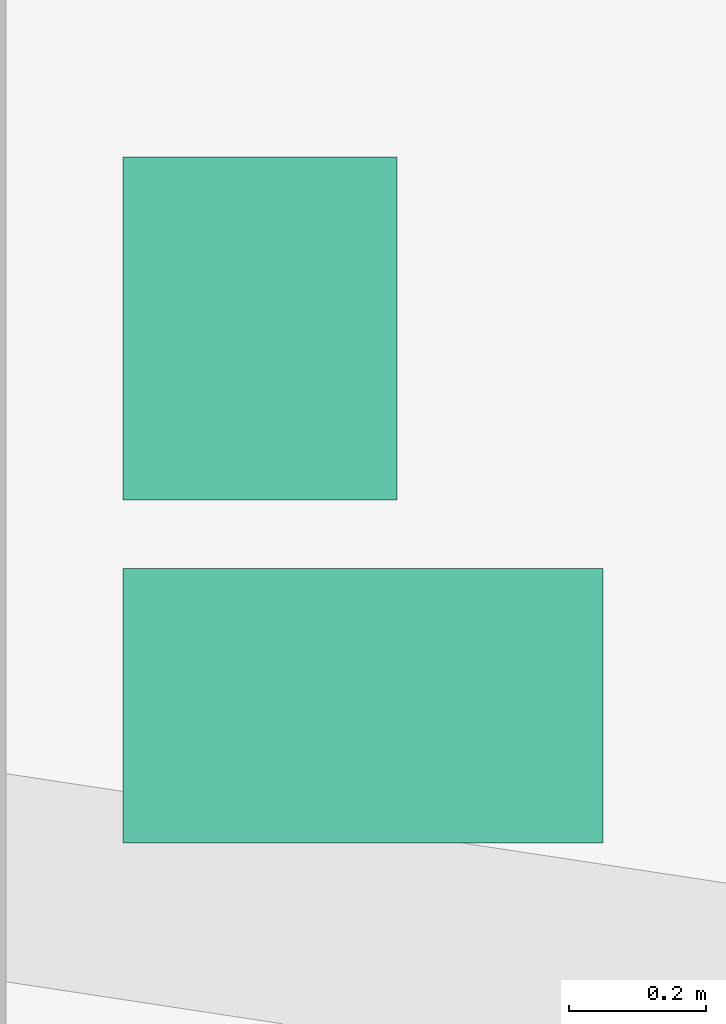
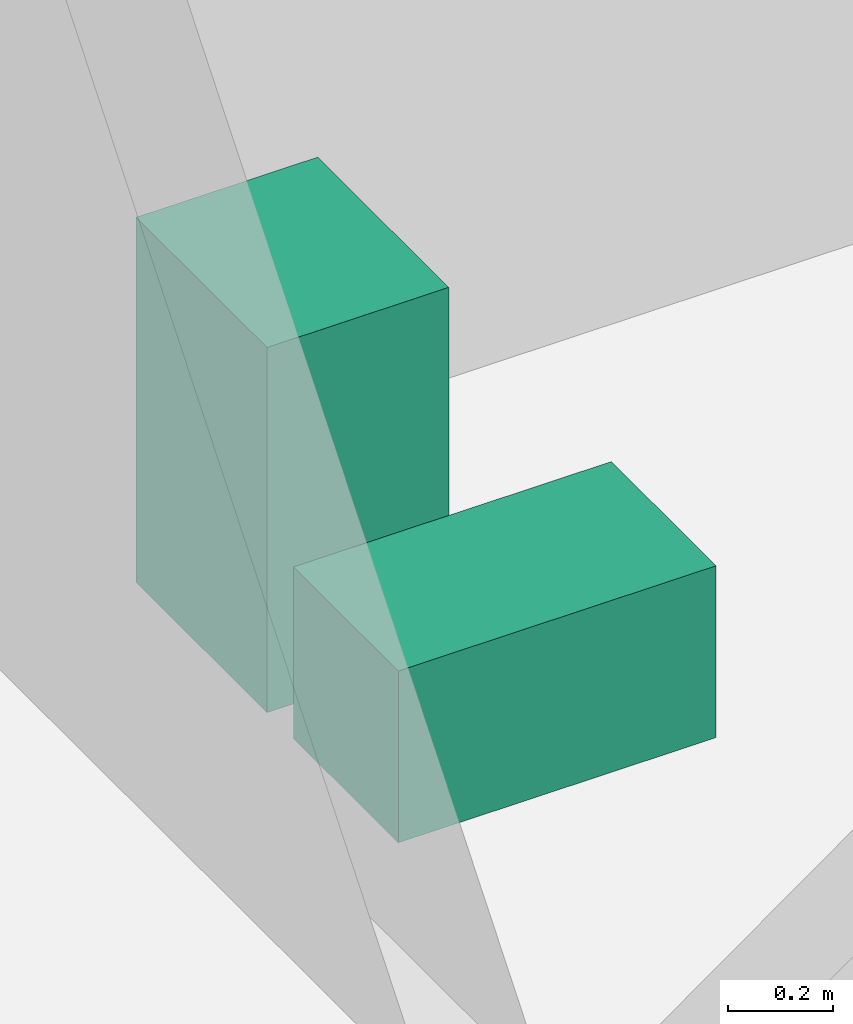
# One storey, part 13 of 13: 2 sanitary terminals.
"""IFC4 building model written with IfcOpenShell, lengths in metres."""

import ifcopenshell
import ifcopenshell.guid

model = None  # the IFC model being written
_history = None  # IfcOwnerHistory: only IFC2X3 demands one
_inside = {}  # id of a spatial element -> (the spatial element, [elements in it])
_under = {}  # id of a project, library or spatial element -> (it, [spatial elements below it])
_declared = {}  # id of a project -> (the project, [libraries it declares])
_typed = {}  # id of a type object -> (the type object, [elements of that type])
_made_of = {}  # id of a material, layer set ... -> (it, [elements and type objects made of it])


def new_model(schema):
    """Start an empty IFC model of exactly this schema.

    Asked for "IFC4X3", IfcOpenShell would pick the latest addendum, in which some entities
    have other attributes; the version numbers below select the first issue.
    IFC2X3 requires an IfcOwnerHistory on every rooted entity: one is made here for all.
    """
    global model, _history
    if schema == "IFC4X3":
        model = ifcopenshell.file(schema_version=(4, 3, 0, 0))
    else:
        model = ifcopenshell.file(schema=schema)
    _inside.clear()
    _under.clear()
    _declared.clear()
    _typed.clear()
    _made_of.clear()
    _history = None
    if model.schema == "IFC2X3":
        org = make("IfcOrganization", Name="unknown")
        user = make(
            "IfcPersonAndOrganization",
            ThePerson=make("IfcPerson", FamilyName="unknown"),
            TheOrganization=org,
        )
        app = make(
            "IfcApplication",
            ApplicationDeveloper=org,
            Version="unknown",
            ApplicationFullName="unknown",
            ApplicationIdentifier="unknown",
        )
        _history = make(
            "IfcOwnerHistory",
            OwningUser=user,
            OwningApplication=app,
            ChangeAction="ADDED",
            CreationDate=0,
        )
    return model


def make(cls, **values):
    """One entity of the class cls with the attributes given. An attribute that is None is left unset."""
    return model.create_entity(
        cls, **{name: value for name, value in values.items() if value is not None}
    )


def rooted(cls, **values):
    """An entity with a GlobalId (a new one), such as an element, a storey or a relation."""
    return make(cls, GlobalId=ifcopenshell.guid.new(), OwnerHistory=_history, **values)


def si_unit(unit_type, name, prefix=None):
    """IfcSIUnit, for example si_unit("LENGTHUNIT", "METRE", prefix="MILLI")."""
    return make("IfcSIUnit", UnitType=unit_type, Prefix=prefix, Name=name)


def assignment(units):
    """IfcUnitAssignment: the units of a project."""
    return None if units is None else make("IfcUnitAssignment", Units=units)


def point(xyz):
    """IfcCartesianPoint."""
    return None if xyz is None else make("IfcCartesianPoint", Coordinates=xyz)


def direction(xyz):
    """IfcDirection."""
    return None if xyz is None else make("IfcDirection", DirectionRatios=xyz)


def frame(location, z_axis=None, x_axis=None):
    """IfcAxis2Placement3D, a coordinate frame: its origin and axes. An axis left out is left unset."""
    return make(
        "IfcAxis2Placement3D",
        Location=point(location),
        Axis=direction(z_axis),
        RefDirection=direction(x_axis),
    )


def frame_2d(location, x_axis=None):
    """IfcAxis2Placement2D, a coordinate frame in the plane: its origin and x axis."""
    return make(
        "IfcAxis2Placement2D", Location=point(location), RefDirection=direction(x_axis)
    )


def origin():
    """The frame at (0, 0, 0) with its axes left unset."""
    return frame((0.0, 0.0, 0.0))


def origin_2d():
    """The frame at (0, 0) in the plane with its x axis left unset."""
    return frame_2d((0.0, 0.0))


def place(relative_to, where):
    """IfcLocalPlacement: puts the frame where relative to a parent placement (None: the world)."""
    return make(
        "IfcLocalPlacement", PlacementRelTo=relative_to, RelativePlacement=where
    )


def context(
    kind, dimensions, precision=None, world=None, true_north=None, identifier=None
):
    """IfcGeometricRepresentationContext, for example the 3D "Model" context."""
    return make(
        "IfcGeometricRepresentationContext",
        ContextIdentifier=identifier,
        ContextType=kind,
        CoordinateSpaceDimension=dimensions,
        Precision=precision,
        WorldCoordinateSystem=world,
        TrueNorth=true_north,
    )


def subcontext(parent, identifier, kind, view, scale=None):
    """IfcGeometricRepresentationSubContext, for example "Body" below "Model"."""
    return make(
        "IfcGeometricRepresentationSubContext",
        ContextIdentifier=identifier,
        ContextType=kind,
        ParentContext=parent,
        TargetScale=scale,
        TargetView=view,
    )


def project(units=None, contexts=None):
    """IfcProject with its units and contexts."""
    return rooted(
        "IfcProject",
        Name="project",
        RepresentationContexts=contexts,
        UnitsInContext=assignment(units),
    )


def spatial(cls, under=None, at=None, **own):
    """A site, building, storey or space (cls), placed at a placement, below another one or the project."""
    s = rooted(cls, ObjectPlacement=at, **own)
    if under is not None:
        _under.setdefault(under.id(), (under, []))[1].append(s)
    return s


def profile(cls, at=None, kind="AREA", **sizes):
    """A parametric profile (cls). Its sizes go by their IFC names, for example OverallWidth=200.0."""
    return make(cls, ProfileType=kind, Position=at, **sizes)


def rectangle(**sizes):
    """IfcRectangleProfileDef."""
    return profile("IfcRectangleProfileDef", **sizes)


def extrude(swept, where, along, depth):
    """IfcExtrudedAreaSolid: the profile swept, set in the frame where, extruded along a direction by depth."""
    return make(
        "IfcExtrudedAreaSolid",
        SweptArea=swept,
        Position=where,
        ExtrudedDirection=direction(along),
        Depth=depth,
    )


def shape(context_of_items, identifier, shape_type, items):
    """IfcShapeRepresentation: the items that make up one representation, for example the "Body"."""
    return make(
        "IfcShapeRepresentation",
        ContextOfItems=context_of_items,
        RepresentationIdentifier=identifier,
        RepresentationType=shape_type,
        Items=items,
    )


def made_of(thing, what):
    """Note that an element or type object is made of a material, layer set ...; save() writes the relation."""
    if what is not None:
        _made_of.setdefault(what.id(), (what, []))[1].append(thing)
    return thing


def element(
    cls,
    number,
    at=None,
    inside=None,
    cuts=None,
    type_object=None,
    material=None,
    context=None,
    identifier="Body",
    shape_type=None,
    held_by="IfcProductDefinitionShape",
    body=None,
    shapes=None,
    **own,
):
    """One element of the class cls, such as IfcWall. Its Tag is "e" and its number.

    at: its placement. inside: the storey or other place that contains it. cuts: it is an
    opening in that element (IfcRelVoidsElement). A single representation is given by context,
    identifier, shape_type and body (its items); several are given by shapes. held_by: the class
    of the entity that holds the representations. save() writes the other relations.
    """
    e = rooted(cls, Tag="e%d" % number, ObjectPlacement=at, **own)
    if body is not None:
        shapes = [shape(context, identifier, shape_type, body)]
    if shapes is not None:
        e.Representation = make(held_by, Representations=shapes)
    if inside is not None:
        _inside.setdefault(inside.id(), (inside, []))[1].append(e)
    if cuts is not None:
        rooted(
            "IfcRelVoidsElement", RelatingBuildingElement=cuts, RelatedOpeningElement=e
        )
    if type_object is not None:
        _typed.setdefault(type_object.id(), (type_object, []))[1].append(e)
    return made_of(e, material)


def aggregate(whole, parts):
    """IfcRelAggregates: a whole, such as a stair, and the parts it consists of."""
    return rooted("IfcRelAggregates", RelatingObject=whole, RelatedObjects=parts)


def save(model, path):
    """Write the relations noted so far, then the file.

    IfcRelAggregates (storeys below a building ...), IfcRelContainedInSpatialStructure (elements
    in a storey), IfcRelDefinesByType, IfcRelAssociatesMaterial and IfcRelDeclares: one each for
    every whole, place, type object, material and project.
    """
    for whole, parts in _under.values():
        aggregate(whole, parts)
    for where, things in _inside.values():
        rooted(
            "IfcRelContainedInSpatialStructure",
            RelatedElements=things,
            RelatingStructure=where,
        )
    for kind, things in _typed.values():
        rooted("IfcRelDefinesByType", RelatedObjects=things, RelatingType=kind)
    for what, things in _made_of.values():
        rooted("IfcRelAssociatesMaterial", RelatedObjects=things, RelatingMaterial=what)
    for by, libraries in _declared.values():
        rooted("IfcRelDeclares", RelatingContext=by, RelatedDefinitions=libraries)
    model.write(path)


model = new_model("IFC4")

# Units and contexts
model_context = context("Model", 3, precision=1e-05, world=origin(), true_north=direction((0.0, 1.0)))
body_context = subcontext(model_context, "Body", "Model", "MODEL_VIEW")
ifc_project = project(units=[si_unit("LENGTHUNIT", "METRE"), si_unit("AREAUNIT", "SQUARE_METRE"), si_unit("VOLUMEUNIT", "CUBIC_METRE"), si_unit("PLANEANGLEUNIT", "RADIAN"), si_unit("MASSUNIT", "GRAM", prefix="KILO")], contexts=[model_context])

# Site, building, storey
site_placement = place(None, origin())
site = spatial("IfcSite", under=ifc_project, at=site_placement, CompositionType="ELEMENT")
building_placement = place(site_placement, origin())
building = spatial("IfcBuilding", under=site, at=building_placement, Name="Hankou Lantern Tower", CompositionType="ELEMENT")
storey_placement = place(building_placement, frame((0.0, 0.0, 105.60009765625)))
storey = spatial("IfcBuildingStorey", under=building, at=storey_placement, Name="L26", CompositionType="ELEMENT", Elevation=105.60009765625)

# Sanitary terminals
sanitary_terminal_1_placement = place(storey_placement, frame((14.6201171875, -3.330078125, 0.0), z_axis=(0.0, 0.0, 1.0), x_axis=(0.0, 1.0, 0.0)))
element("IfcSanitaryTerminal", 1, at=sanitary_terminal_1_placement, inside=storey, Name="Accessible WC 2615 WC pan 1", PredefinedType="TOILETPAN", context=body_context, shape_type="SweptSolid", body=[
    extrude(rectangle(XDim=0.39990234375, YDim=0.699951171875, at=origin_2d()), origin(), (0.0, 0.0, 1.0), 0.39990234375),
])
sanitary_terminal_2_placement = place(storey_placement, frame((14.469970703125, -2.780029296875, -0.000244140625), z_axis=(0.0, 0.0, 1.0), x_axis=(0.0, 1.0, 0.0)))
element("IfcSanitaryTerminal", 2, at=sanitary_terminal_2_placement, inside=storey, Name="Accessible WC 2615 wash basin 1", PredefinedType="WASHHANDBASIN", context=body_context, shape_type="SweptSolid", body=[
    extrude(rectangle(XDim=0.5, YDim=0.39990234375, at=origin_2d()), origin(), (0.0, 0.0, 1.0), 0.85009765625),
])

save(model, "model.ifc")
